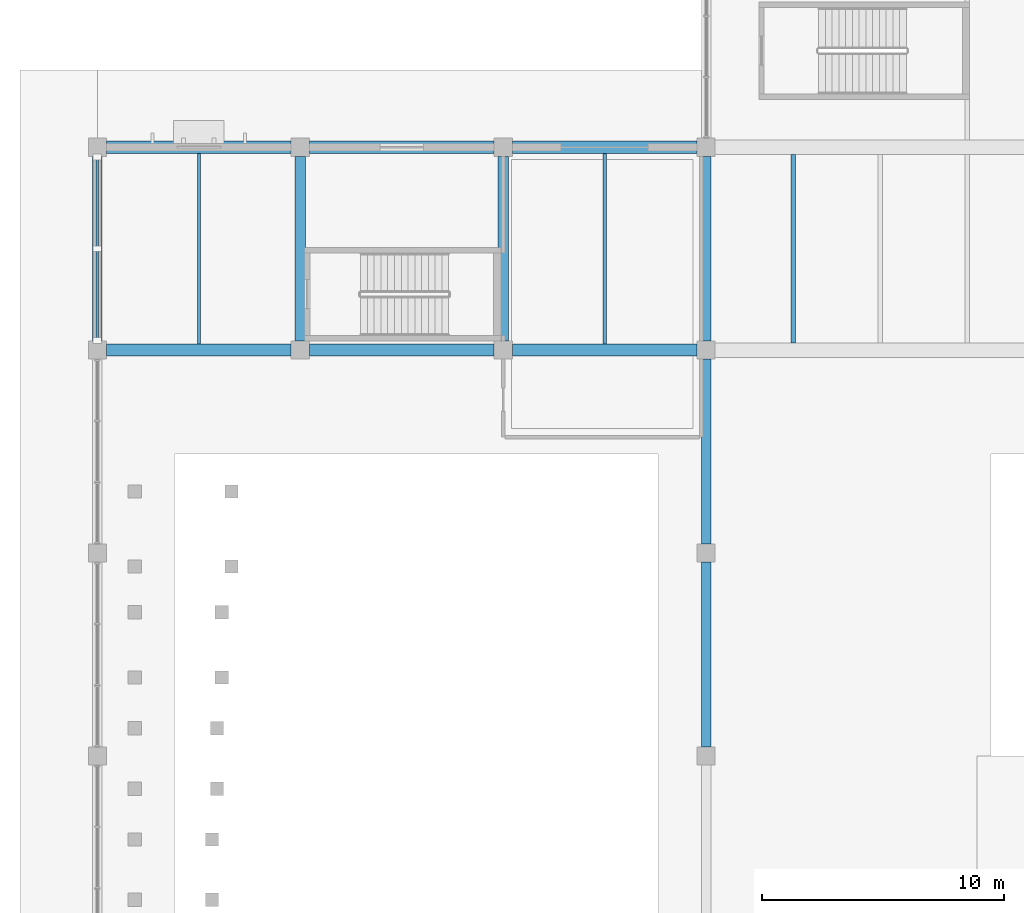
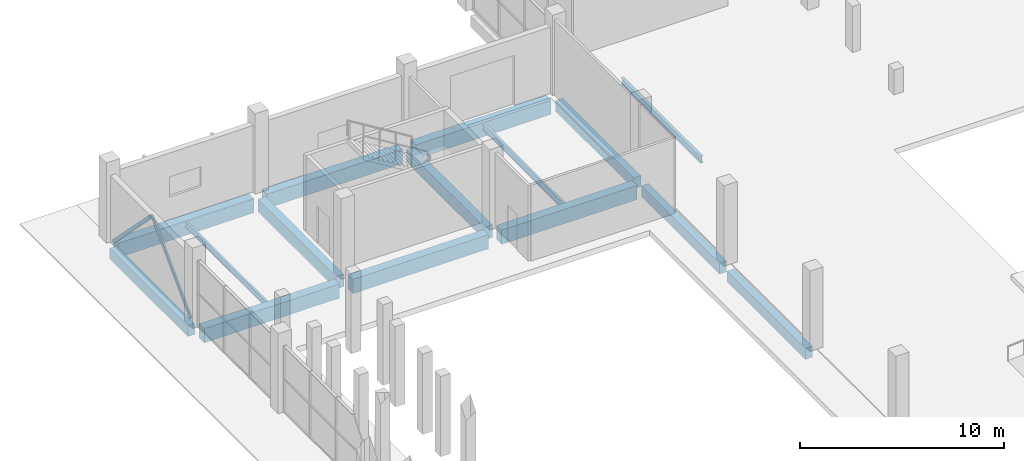
# One storey, part 37 of 130: 15 beams, 2 members.
"""IFC4 building model written with IfcOpenShell, lengths in metres."""

from ifc_helpers import new_model, si_unit, direction, frame, origin, origin_2d, place, context, subcontext, project, spatial, rectangle, hollow_rectangle, i_section, extrude, material, material_profile, profile_set, type_object, element, save


model = new_model("IFC4")

# Units and contexts
model_context = context("Model", 3, precision=1e-05, world=origin(), true_north=direction((0.0, 1.0)))
body_context = subcontext(model_context, "Body", "Model", "MODEL_VIEW")
ifc_project = project(units=[si_unit("LENGTHUNIT", "METRE"), si_unit("AREAUNIT", "SQUARE_METRE"), si_unit("VOLUMEUNIT", "CUBIC_METRE"), si_unit("PLANEANGLEUNIT", "RADIAN"), si_unit("MASSUNIT", "GRAM", prefix="KILO"), si_unit("THERMODYNAMICTEMPERATUREUNIT", "KELVIN")], contexts=[model_context])

# Site, building, storey
site_placement = place(None, origin())
site = spatial("IfcSite", under=ifc_project, at=site_placement, CompositionType="ELEMENT")
building_placement = place(site_placement, origin())
building = spatial("IfcBuilding", under=site, at=building_placement, Name="Nduvali Passage Aquatics Centre", CompositionType="ELEMENT")
storey_placement = place(building_placement, origin())
storey = spatial("IfcBuildingStorey", under=building, at=storey_placement, Name="L00", CompositionType="ELEMENT", Elevation=0.0)

# Beams
ifc_material_1 = material(Name="Concrete C40/50", Category="concrete")
ifc_material_profile_1 = material_profile(ifc_material_1, rectangle(XDim=0.449951171875, YDim=0.75, at=origin_2d()), Name="RC 450x750")
ifc_profile_set_1 = profile_set([ifc_material_profile_1], Name="Concrete C40/50")
beam_type_1 = type_object("IfcBeamType", Name="STR-BM-RC4575", PredefinedType="BEAM", material=ifc_profile_set_1)
for number, where, z_axis, x_axis, name in (
    (1, (8.39990234375, 75.97509765625, -0.715087890625), (0.0, 1.0, 0.0), (-1.0, 0.0, 0.0), "L00 Primary Y-Girder B3-0120"),
    (2, (16.800048828125, 75.97509765625, -0.715087890625), (0.0, 1.0, 0.0), (-1.0, 0.0, 0.0), "L00 Primary Y-Girder B3-0122"),
):
    element("IfcBeam", number, at=place(storey_placement, frame(where, z_axis=z_axis, x_axis=x_axis)), inside=storey, type_object=beam_type_1, Name=name, PredefinedType="BEAM", context=body_context, shape_type="SweptSolid", body=[
        extrude(rectangle(XDim=0.449951171875, YDim=0.75, at=origin_2d()), origin(), (0.0, 0.0, 1.0), 7.64990234375),
    ])
ifc_material_profile_2 = material_profile(ifc_material_1, rectangle(XDim=0.5, YDim=0.85009765625, at=origin_2d()), Name="RC 500x850")
ifc_profile_set_2 = profile_set([ifc_material_profile_2], Name="Concrete C40/50")
beam_type_2 = type_object("IfcBeamType", Name="STR-BM-RC5085", PredefinedType="BEAM", material=ifc_profile_set_2)
beam_1_placement = place(storey_placement, frame((0.375, 75.60009765625, -0.764892578125), z_axis=(1.0, 0.0, 0.0), x_axis=(0.0, 1.0, 0.0)))
element("IfcBeam", 3, at=beam_1_placement, inside=storey, type_object=beam_type_2, Name="L00 Primary X-Girder B2-0062", PredefinedType="BEAM", context=body_context, shape_type="SweptSolid", body=[
    extrude(rectangle(XDim=0.5, YDim=0.85009765625, at=origin_2d()), origin(), (0.0, 0.0, 1.0), 7.64990234375),
])
beam_2_placement = place(storey_placement, frame((8.77490234375, 75.60009765625, -0.764892578125), z_axis=(1.0, 0.0, 0.0), x_axis=(0.0, 1.0, 0.0)))
element("IfcBeam", 4, at=beam_2_placement, inside=storey, type_object=beam_type_2, Name="L00 Primary X-Girder B2-0063", PredefinedType="BEAM", context=body_context, shape_type="SweptSolid", body=[
    extrude(rectangle(XDim=0.5, YDim=0.85009765625, at=origin_2d()), origin(), (0.0, 0.0, 1.0), 7.650146484375),
])
for number, where, z_axis, x_axis, name in (
    (5, (17.175048828125, 75.60009765625, -0.764892578125), (1.0, 0.0, 0.0), (0.0, 1.0, 0.0), "L00 Primary X-Girder B2-0064"),
    (6, (0.375, 84.0, -0.764892578125), (1.0, 0.0, 0.0), (0.0, 1.0, 0.0), "L00 Primary X-Girder B2-0072"),
):
    element("IfcBeam", number, at=place(storey_placement, frame(where, z_axis=z_axis, x_axis=x_axis)), inside=storey, type_object=beam_type_2, Name=name, PredefinedType="BEAM", context=body_context, shape_type="SweptSolid", body=[
        extrude(rectangle(XDim=0.5, YDim=0.85009765625, at=origin_2d()), origin(), (0.0, 0.0, 1.0), 7.64990234375),
    ])
beam_3_placement = place(storey_placement, frame((8.77490234375, 84.0, -0.764892578125), z_axis=(1.0, 0.0, 0.0), x_axis=(0.0, 1.0, 0.0)))
element("IfcBeam", 7, at=beam_3_placement, inside=storey, type_object=beam_type_2, Name="L00 Primary X-Girder B2-0073", PredefinedType="BEAM", context=body_context, shape_type="SweptSolid", body=[
    extrude(rectangle(XDim=0.5, YDim=0.85009765625, at=origin_2d()), origin(), (0.0, 0.0, 1.0), 7.650146484375),
])
beam_4_placement = place(storey_placement, frame((17.175048828125, 84.0, -0.764892578125), z_axis=(1.0, 0.0, 0.0), x_axis=(0.0, 1.0, 0.0)))
element("IfcBeam", 8, at=beam_4_placement, inside=storey, type_object=beam_type_2, Name="L00 Primary X-Girder B2-0074", PredefinedType="BEAM", context=body_context, shape_type="SweptSolid", body=[
    extrude(rectangle(XDim=0.5, YDim=0.85009765625, at=origin_2d()), origin(), (0.0, 0.0, 1.0), 7.64990234375),
])
ifc_material_2 = material(Name="Steel S355", Category="steel")
ifc_material_profile_3 = material_profile(ifc_material_2, i_section(OverallWidth=0.179931640625, OverallDepth=0.39990234375, WebThickness=0.008544921875, FlangeThickness=0.013427734375, FilletRadius=0.02099609375, at=origin_2d()), Name="IPE 400")
ifc_profile_set_3 = profile_set([ifc_material_profile_3], Name="Steel S355")
beam_type_3 = type_object("IfcBeamType", Name="STR-JST-IPE400", PredefinedType="JOIST", material=ifc_profile_set_3)
beam_5_placement = place(storey_placement, frame((28.800048828125, 75.89990234375, -0.52392578125), z_axis=(0.0, 1.0, 0.0), x_axis=(-1.0, 0.0, 0.0)))
element("IfcBeam", 9, at=beam_5_placement, inside=storey, type_object=beam_type_3, Name="L00 Secondary Joist J5-0361", PredefinedType="JOIST", context=body_context, shape_type="SweptSolid", body=[
    extrude(i_section(OverallWidth=0.179931640625, OverallDepth=0.39990234375, WebThickness=0.008544921875, FlangeThickness=0.013427734375, FilletRadius=0.02099609375, at=origin_2d()), origin(), (0.0, 0.0, 1.0), 7.800048828125),
])
ifc_material_profile_4 = material_profile(ifc_material_2, i_section(OverallWidth=0.1259765625, OverallDepth=0.353515625, WebThickness=0.006591796875, FlangeThickness=0.0107421875, FilletRadius=0.01025390625, at=origin_2d()), Name="UKB 356x127x39")
ifc_profile_set_4 = profile_set([ifc_material_profile_4], Name="Steel S355")
beam_type_4 = type_object("IfcBeamType", Name="STR-JST-UKB356L", PredefinedType="JOIST", material=ifc_profile_set_4)
beam_6_placement = place(storey_placement, frame((4.199951171875, 75.85009765625, -0.520751953125), z_axis=(0.0, 1.0, 0.0), x_axis=(-1.0, 0.0, 0.0)))
element("IfcBeam", 10, at=beam_6_placement, inside=storey, type_object=beam_type_4, Name="L00 Secondary Joist J2A-0359", PredefinedType="JOIST", context=body_context, shape_type="SweptSolid", body=[
    extrude(i_section(OverallWidth=0.1259765625, OverallDepth=0.353515625, WebThickness=0.006591796875, FlangeThickness=0.0107421875, FilletRadius=0.01025390625, at=origin_2d()), origin(), (0.0, 0.0, 1.0), 7.89990234375),
])
ifc_material_profile_5 = material_profile(ifc_material_2, i_section(OverallWidth=0.14208984375, OverallDepth=0.4033203125, WebThickness=0.0068359375, FlangeThickness=0.01123046875, FilletRadius=0.01025390625, at=origin_2d()), Name="UKB 406x140x46")
ifc_profile_set_5 = profile_set([ifc_material_profile_5], Name="Steel S355")
beam_type_5 = type_object("IfcBeamType", Name="STR-JST-UKB406L", PredefinedType="JOIST", material=ifc_profile_set_5)
beam_7_placement = place(storey_placement, frame((21.0, 75.85009765625, -0.545654296875), z_axis=(0.0, 1.0, 0.0), x_axis=(-1.0, 0.0, 0.0)))
element("IfcBeam", 11, at=beam_7_placement, inside=storey, type_object=beam_type_5, Name="L00 Secondary Joist J1B-0360", PredefinedType="JOIST", context=body_context, shape_type="SweptSolid", body=[
    extrude(i_section(OverallWidth=0.14208984375, OverallDepth=0.4033203125, WebThickness=0.0068359375, FlangeThickness=0.01123046875, FilletRadius=0.01025390625, at=origin_2d()), origin(), (0.0, 0.0, 1.0), 7.89990234375),
])

# Members
ifc_material_profile_6 = material_profile(ifc_material_2, hollow_rectangle(XDim=0.10009765625, YDim=0.199951171875, WallThickness=0.00634765625, at=origin_2d()), Name="RHS 200x100x6.3")
ifc_profile_set_6 = profile_set([ifc_material_profile_6], Name="Steel S355")
member_type = type_object("IfcMemberType", Name="STR-MEM-RHS200", PredefinedType="BRACE", material=ifc_profile_set_6)
for number, where, z_axis, x_axis, name in (
    (12, (0.0, 76.0, 0.0), (0.0, 0.702465710761, 0.711717588096), (-1.0, 0.0, 0.0), "L00 Chevron Frame Brace 3L"),
    (13, (0.0, 83.60009765625, 0.0), (0.0, -0.702465710761, 0.711717588096), (1.0, 0.0, 0.0), "L00 Chevron Frame Brace 3R"),
):
    element("IfcMember", number, at=place(storey_placement, frame(where, z_axis=z_axis, x_axis=x_axis)), inside=storey, type_object=member_type, Name=name, PredefinedType="BRACE", context=body_context, shape_type="SweptSolid", body=[
        extrude(hollow_rectangle(XDim=0.10009765625, YDim=0.199951171875, WallThickness=0.00634765625, at=origin_2d()), origin(), (0.0, 0.0, 1.0), 5.40966796875),
    ])

# Beams
ifc_material_profile_7 = material_profile(ifc_material_1, rectangle(XDim=0.39990234375, YDim=0.64990234375, at=origin_2d()), Name="RC 400x650")
ifc_profile_set_7 = profile_set([ifc_material_profile_7], Name="Concrete C40/50")
beam_type_6 = type_object("IfcBeamType", Name="STR-SPN-RC4065-EXT", PredefinedType="SPANDREL", material=ifc_profile_set_7)
for number, where, z_axis, x_axis, name in (
    (14, (0.0, 75.97509765625, -0.6650390625), (0.0, 1.0, 0.0), (-1.0, 0.0, 0.0), "L00 Primary Y-Girder SP1E-0118"),
    (15, (25.199951171875, 59.175048828125, -0.6650390625), (0.0, 1.0, 0.0), (-1.0, 0.0, 0.0), "L00 Primary Y-Girder SP1E-0127"),
):
    element("IfcBeam", number, at=place(storey_placement, frame(where, z_axis=z_axis, x_axis=x_axis)), inside=storey, type_object=beam_type_6, Name=name, PredefinedType="SPANDREL", context=body_context, shape_type="SweptSolid", body=[
        extrude(rectangle(XDim=0.39990234375, YDim=0.64990234375, at=origin_2d()), origin(), (0.0, 0.0, 1.0), 7.64990234375),
    ])
beam_8_placement = place(storey_placement, frame((25.199951171875, 67.574951171875, -0.6650390625), z_axis=(0.0, 1.0, 0.0), x_axis=(-1.0, 0.0, 0.0)))
element("IfcBeam", 16, at=beam_8_placement, inside=storey, type_object=beam_type_6, Name="L00 Primary Y-Girder SP1E-0128", PredefinedType="SPANDREL", context=body_context, shape_type="SweptSolid", body=[
    extrude(rectangle(XDim=0.39990234375, YDim=0.64990234375, at=origin_2d()), origin(), (0.0, 0.0, 1.0), 7.650146484375),
])
beam_9_placement = place(storey_placement, frame((25.199951171875, 75.97509765625, -0.6650390625), z_axis=(0.0, 1.0, 0.0), x_axis=(-1.0, 0.0, 0.0)))
element("IfcBeam", 17, at=beam_9_placement, inside=storey, type_object=beam_type_6, Name="L00 Primary Y-Girder SP1E-0129", PredefinedType="SPANDREL", context=body_context, shape_type="SweptSolid", body=[
    extrude(rectangle(XDim=0.39990234375, YDim=0.64990234375, at=origin_2d()), origin(), (0.0, 0.0, 1.0), 7.64990234375),
])

save(model, "model.ifc")
